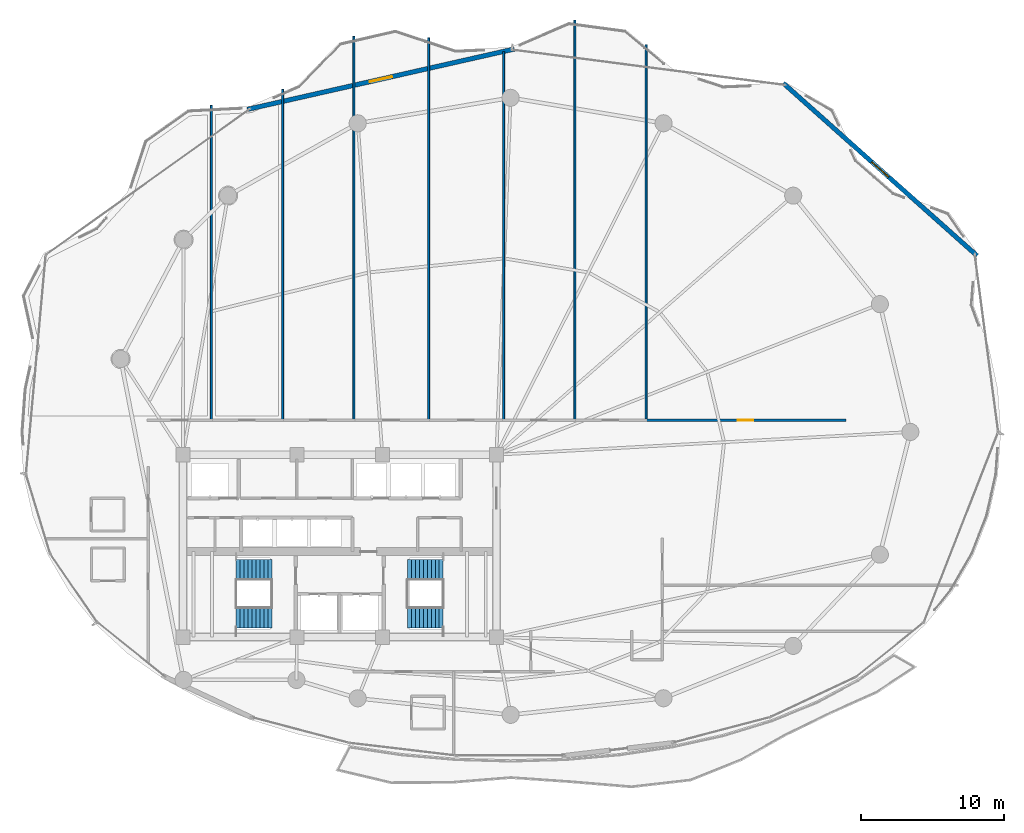
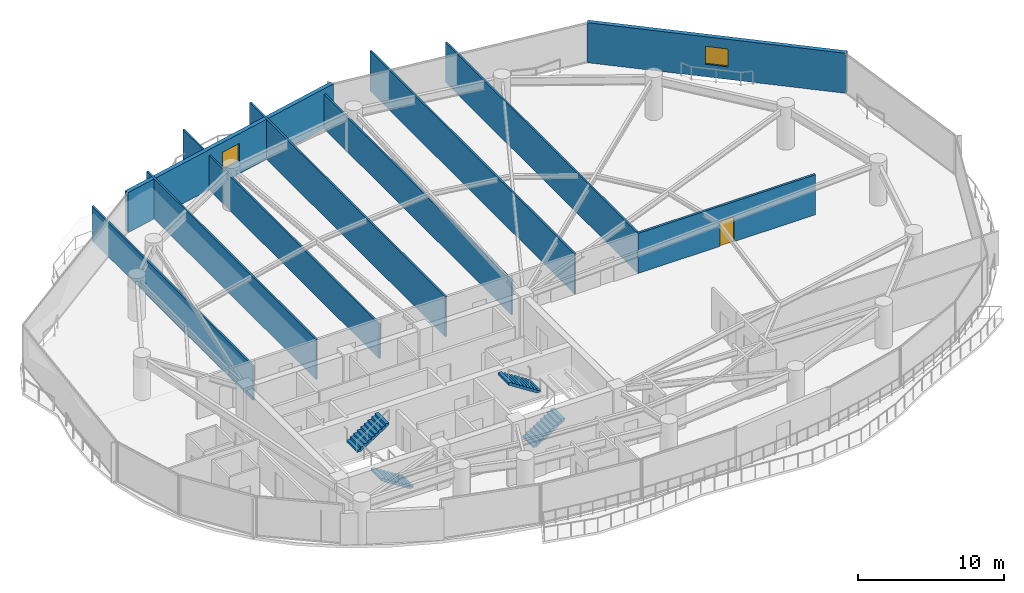
# One storey, part 28 of 33: 10 walls, 4 stair flights, 2 windows, 1 door, 3 openings, 2 elements without a shape of their own.
"""IFC4 building model written with IfcOpenShell, lengths in metres."""

from ifc_helpers import new_model, si_unit, direction, frame, frame_2d, origin, place, context, subcontext, project, spatial, polyline, rectangle, outline, extrude, material, layer, layer_set, type_object, element, fill, aggregate, save


model = new_model("IFC4")

# Units and contexts
model_context = context("Model", 3, precision=1e-05, world=origin(), true_north=direction((0.0, 1.0)))
body_context = subcontext(model_context, "Body", "Model", "MODEL_VIEW")
ifc_project = project(units=[si_unit("LENGTHUNIT", "METRE"), si_unit("AREAUNIT", "SQUARE_METRE"), si_unit("VOLUMEUNIT", "CUBIC_METRE"), si_unit("PLANEANGLEUNIT", "RADIAN"), si_unit("MASSUNIT", "GRAM", prefix="KILO")], contexts=[model_context])

# Site, building, storey
site_placement = place(None, origin())
site = spatial("IfcSite", under=ifc_project, at=site_placement, CompositionType="ELEMENT")
building_placement = place(site_placement, origin())
building = spatial("IfcBuilding", under=site, at=building_placement, Name="Kazevale Care Tower and Concert Hall", CompositionType="ELEMENT")
storey_placement = place(building_placement, frame((0.0, 0.0, 149.39990234375)))
storey = spatial("IfcBuildingStorey", under=building, at=storey_placement, Name="L39", CompositionType="ELEMENT", Elevation=149.39990234375)

# Walls
ifc_material_1 = material(Name="Acoustic Gypsum on Steel Stud", Category="steel")
ifc_layer_1 = layer(ifc_material_1, 0.139892578125)
ifc_layer_set_1 = layer_set([ifc_layer_1], Name="Acoustic Gypsum on Steel Stud")
wall_type_1 = type_object("IfcWallType", Name="Acoustic Care & Suite Partition 140", PredefinedType="PARTITIONING", material=ifc_layer_set_1)
wall_1_placement = place(storey_placement, frame((24.0, 60.9208984375, 0.0), z_axis=(0.0, 0.0, 1.0), x_axis=(0.0, -1.0, 0.0)))
element("IfcWall", 1, at=wall_1_placement, inside=storey, type_object=wall_type_1, Name="wall:L39:auto_019", PredefinedType="PARTITIONING", context=body_context, shape_type="SweptSolid", body=[
    extrude(rectangle(XDim=22.1259765625, YDim=0.139892578125, at=frame_2d((11.06298828125, 0.0))), origin(), (0.0, 0.0, 1.0), 2.89013671875),
])
wall_2_placement = place(storey_placement, frame((29.0, 62.0439453125, 0.0), z_axis=(0.0, 0.0, 1.0), x_axis=(0.0, -1.0, 0.0)))
element("IfcWall", 2, at=wall_2_placement, inside=storey, type_object=wall_type_1, Name="wall:L39:auto_020", PredefinedType="PARTITIONING", context=body_context, shape_type="SweptSolid", body=[
    extrude(rectangle(XDim=23.2490234375, YDim=0.139892578125, at=frame_2d((11.62451171875, 0.0))), origin(), (0.0, 0.0, 1.0), 3.360107421875),
])
wall_3_placement = place(storey_placement, frame((34.0, 65.7509765625, 0.0), z_axis=(0.0, 0.0, 1.0), x_axis=(0.0, -1.0, 0.0)))
element("IfcWall", 3, at=wall_3_placement, inside=storey, type_object=wall_type_1, Name="wall:L39:auto_021", PredefinedType="PARTITIONING", context=body_context, shape_type="SweptSolid", body=[
    extrude(rectangle(XDim=26.9560546875, YDim=0.139892578125, at=frame_2d((13.47802734375, 0.0))), origin(), (0.0, 0.0, 1.0), 2.89013671875),
])
wall_4_placement = place(storey_placement, frame((39.25, 65.64501953125, 0.0), z_axis=(0.0, 0.0, 1.0), x_axis=(0.0, -1.0, 0.0)))
element("IfcWall", 4, at=wall_4_placement, inside=storey, type_object=wall_type_1, Name="wall:L39:auto_022", PredefinedType="PARTITIONING", context=body_context, shape_type="SweptSolid", body=[
    extrude(rectangle(XDim=26.85009765625, YDim=0.139892578125, at=frame_2d((13.425048828125, 0.0))), origin(), (0.0, 0.0, 1.0), 3.360107421875),
])
wall_5_placement = place(storey_placement, frame((44.5, 64.68994140625, 0.0), z_axis=(0.0, 0.0, 1.0), x_axis=(0.0, -1.0, 0.0)))
element("IfcWall", 5, at=wall_5_placement, inside=storey, type_object=wall_type_1, Name="wall:L39:auto_023", PredefinedType="PARTITIONING", context=body_context, shape_type="SweptSolid", body=[
    extrude(rectangle(XDim=25.89501953125, YDim=0.139892578125, at=frame_2d((12.947509765625, 0.0))), origin(), (0.0, 0.0, 1.0), 2.89013671875),
])
wall_6_placement = place(storey_placement, frame((49.5, 66.907958984375, 0.0), z_axis=(0.0, 0.0, 1.0), x_axis=(0.0, -1.0, 0.0)))
element("IfcWall", 6, at=wall_6_placement, inside=storey, type_object=wall_type_1, Name="wall:L39:auto_024", PredefinedType="PARTITIONING", context=body_context, shape_type="SweptSolid", body=[
    extrude(rectangle(XDim=28.113037109375, YDim=0.139892578125, at=frame_2d((14.056640625, 0.0))), origin(), (0.0, 0.0, 1.0), 3.360107421875),
])
wall_7_placement = place(storey_placement, frame((54.5, 65.18798828125, 0.0), z_axis=(0.0, 0.0, 1.0), x_axis=(0.0, -1.0, 0.0)))
element("IfcWall", 7, at=wall_7_placement, inside=storey, type_object=wall_type_1, Name="wall:L39:auto_025", PredefinedType="PARTITIONING", context=body_context, shape_type="SweptSolid", body=[
    extrude(rectangle(XDim=26.39306640625, YDim=0.139892578125, at=frame_2d((13.196533203125, 0.0))), origin(), (0.0, 0.0, 1.0), 3.360107421875),
])

# Wall, opening, door
ifc_material_2 = material(Name="Concrete C40 and Acoustic Gypsum", Category="concrete")
ifc_layer_2 = layer(ifc_material_2, 0.179931640625)
ifc_layer_set_2 = layer_set([ifc_layer_2], Name="Concrete C40 and Acoustic Gypsum")
wall_type_2 = type_object("IfcWallType", Name="Fire-Rated Corridor & Party Wall 180", PredefinedType="PARTITIONING", material=ifc_layer_set_2)
wall_8_placement = place(storey_placement, frame((54.43505859375, 38.824951171875, 0.0), z_axis=(0.0, 0.0, 1.0), x_axis=(1.0, 0.0, 0.0)))
wall_8 = element("IfcWall", 8, at=wall_8_placement, inside=storey, type_object=wall_type_2, Name="wall:L39:auto_008", PredefinedType="PARTITIONING", context=body_context, shape_type="SweptSolid", body=[
    extrude(rectangle(XDim=14.094970703125, YDim=0.179931640625, at=frame_2d((7.04736328125, 0.0))), origin(), (0.0, 0.0, 1.0), 3.360107421875),
])
opening_1_placement = place(wall_8_placement, frame((6.498046875, 0.0, 0.0)))
opening_1 = element("IfcOpeningElement", 9, at=opening_1_placement, cuts=wall_8, Name="Opening ID-1100", PredefinedType="OPENING", context=body_context, shape_type="SweptSolid", body=[
    extrude(rectangle(XDim=1.10009765625, YDim=2.10009765625, at=frame_2d((0.550048828125, 1.050048828125))), frame((0.0, 0.099853515625, 0.0), z_axis=(0.0, -1.0, 0.0), x_axis=(1.0, 0.0, 0.0)), (0.0, 0.0, 1.0), 0.199951171875),
])
ifc_material_3 = material(Name="Oak Timber Fire Leaf", Category="wood")
door_type = type_object("IfcDoorType", Name="Care Bedroom Accessible Door 1100x2100", OperationType="NOTDEFINED", PredefinedType="DOOR", material=ifc_material_3)
door_placement = place(opening_1_placement, origin())
door = element("IfcDoor", 10, at=door_placement, inside=storey, type_object=door_type, Name="door:L39:ad_008", OperationType="SINGLE_SWING_LEFT", OverallHeight=2.10009765625, OverallWidth=1.10009765625, PredefinedType="DOOR", context=body_context, shape_type="SweptSolid", body=[
    extrude(rectangle(XDim=1.10009765625, YDim=2.10009765625, at=frame_2d((0.550048828125, 1.050048828125))), frame((0.0, 0.02490234375, 0.0), z_axis=(0.0, -1.0, 0.0), x_axis=(1.0, 0.0, 0.0)), (0.0, 0.0, 1.0), 0.050048828125),
])
fill(opening_1, door)

# Wall, opening, window
ifc_material_4 = material(Name="Concrete C40 with Honed Limestone Cladding", Category="masonry")
ifc_layer_3 = layer(ifc_material_4, 0.320068359375)
ifc_layer_set_3 = layer_set([ifc_layer_3], Name="Concrete C40 with Honed Limestone Cladding")
wall_type_3 = type_object("IfcWallType", Name="Tower Honed Limestone Spandrel Wall 320", PredefinedType="STANDARD", material=ifc_layer_set_3)
wall_9_placement = place(storey_placement, frame((26.52490234375, 60.635009765625, 0.0), z_axis=(0.0, 0.0, 1.0), x_axis=(0.975368700272, 0.220580820855, 0.0)))
wall_9 = element("IfcWall", 11, at=wall_9_placement, inside=storey, type_object=wall_type_3, Name="wall:L39:cbox:15", PredefinedType="STANDARD", context=body_context, shape_type="SweptSolid", body=[
    extrude(rectangle(XDim=19.204345703125, YDim=0.320068359375, at=frame_2d((9.60205078125, 0.0))), origin(), (0.0, 0.0, 1.0), 3.360107421875),
])
opening_2_placement = place(wall_9_placement, frame((8.801025390625, 0.0, 1.050048828125)))
opening_2 = element("IfcOpeningElement", 12, at=opening_2_placement, cuts=wall_9, Name="Opening WIN-1", PredefinedType="OPENING", context=body_context, shape_type="SweptSolid", body=[
    extrude(rectangle(XDim=1.60009765625, YDim=1.5, at=frame_2d((0.800048828125, 0.75))), frame((0.0, 0.169921875, 0.0), z_axis=(0.0, -1.0, 0.0), x_axis=(1.0, 0.0, 0.0)), (0.0, 0.0, 1.0), 0.340087890625),
])
ifc_material_5 = material(Name="Low-E Laminated Glass", Category="glass")
window_type = type_object("IfcWindowType", Name="Convex Box Deep-Set Window 1600x1500", PartitioningType="DOUBLE_PANEL_VERTICAL", PredefinedType="WINDOW", material=ifc_material_5)
window_1_placement = place(opening_2_placement, origin())
window_1 = element("IfcWindow", 13, at=window_1_placement, inside=storey, type_object=window_type, Name="win:L39:cbox:15", OverallHeight=1.5, OverallWidth=1.60009765625, PartitioningType="SINGLE_PANEL", PredefinedType="WINDOW", context=body_context, shape_type="SweptSolid", body=[
    extrude(rectangle(XDim=1.60009765625, YDim=1.5, at=frame_2d((0.800048828125, 0.75))), frame((0.0, 0.030029296875, 0.0), z_axis=(0.0, -1.0, 0.0), x_axis=(1.0, 0.0, 0.0)), (0.0, 0.0, 1.0), 0.06005859375),
])
fill(opening_2, window_1)

wall_10_placement = place(storey_placement, frame((64.132080078125, 62.47705078125, 0.0), z_axis=(0.0, 0.0, 1.0), x_axis=(0.746726187299, -0.665131566836, 0.0)))
wall_10 = element("IfcWall", 14, at=wall_10_placement, inside=storey, type_object=wall_type_3, Name="wall:L39:cbox:17", PredefinedType="STANDARD", context=body_context, shape_type="SweptSolid", body=[
    extrude(rectangle(XDim=18.2099609375, YDim=0.320068359375, at=frame_2d((9.10498046875, 0.0))), origin(), (0.0, 0.0, 1.0), 3.360107421875),
])
opening_3_placement = place(wall_10_placement, frame((8.304931640625, 0.0, 1.050048828125)))
opening_3 = element("IfcOpeningElement", 15, at=opening_3_placement, cuts=wall_10, Name="Opening WIN-1", PredefinedType="OPENING", context=body_context, shape_type="SweptSolid", body=[
    extrude(rectangle(XDim=1.60009765625, YDim=1.5, at=frame_2d((0.800048828125, 0.75))), frame((0.0, 0.169921875, 0.0), z_axis=(0.0, -1.0, 0.0), x_axis=(1.0, 0.0, 0.0)), (0.0, 0.0, 1.0), 0.340087890625),
])
window_2_placement = place(opening_3_placement, origin())
window_2 = element("IfcWindow", 16, at=window_2_placement, inside=storey, type_object=window_type, Name="win:L39:cbox:17", OverallHeight=1.5, OverallWidth=1.60009765625, PartitioningType="SINGLE_PANEL", PredefinedType="WINDOW", context=body_context, shape_type="SweptSolid", body=[
    extrude(rectangle(XDim=1.60009765625, YDim=1.5, at=frame_2d((0.800048828125, 0.75))), frame((0.0, 0.030029296875, 0.0), z_axis=(0.0, -1.0, 0.0), x_axis=(1.0, 0.0, 0.0)), (0.0, 0.0, 1.0), 0.06005859375),
])
fill(opening_3, window_2)

# Stair, stair flights
ifc_material_6 = material(Name="Concrete C40", Category="concrete")
stair_type = type_object("IfcStairType", Name="Exit Stair Assembly ST1-Z2", PredefinedType="HALF_TURN_STAIR", material=ifc_material_6)
stair_1_placement = place(storey_placement, origin())
stair_1 = element("IfcStair", 17, at=stair_1_placement, inside=storey, type_object=stair_type, Name="stair:L39:ST1", PredefinedType="HALF_TURN_STAIR")
ifc_layer_4 = layer(ifc_material_6, 0.159912109375)
ifc_layer_set_4 = layer_set([ifc_layer_4], Name="Concrete C40")
stair_flight_type = type_object("IfcStairFlightType", Name="Exit Stair Flight ST1-Z2", PredefinedType="STRAIGHT", material=ifc_layer_set_4)
stair_flight_1_placement = place(storey_placement, frame((28.25, 24.97998046875, 0.0), z_axis=(0.0, 0.0, 1.0), x_axis=(-1.0, 0.0, 0.0)))
stair_flight_1 = element("IfcStairFlight", 18, at=stair_flight_1_placement, type_object=stair_flight_type, Name="ST1-Z2 flight 1", NumberOfRisers=10, NumberOfTreads=9, PredefinedType="STRAIGHT", RiserHeight=0.18, TreadLength=0.28, context=body_context, shape_type="SweptSolid", body=[
    extrude(outline(polyline([(0.0, 0.0), (0.0, 0.179931640625), (0.280029296875, 0.179931640625), (0.280029296875, 0.360107421875), (0.56005859375, 0.360107421875), (0.56005859375, 0.5400390625), (0.840087890625, 0.5400390625), (0.840087890625, 0.719970703125), (1.1201171875, 0.719970703125), (1.1201171875, 0.89990234375), (1.39990234375, 0.89990234375), (1.39990234375, 1.080078125), (1.679931640625, 1.080078125), (1.679931640625, 1.260009765625), (1.9599609375, 1.260009765625), (1.9599609375, 1.43994140625), (2.239990234375, 1.43994140625), (2.239990234375, 1.6201171875), (2.52001953125, 1.6201171875), (2.52001953125, 1.800048828125), (2.52001953125, 1.429931640625), (0.295654296875, 0.0), (0.0, 0.0)])), frame((0.0, 0.72998046875, 0.0), z_axis=(0.0, -1.0, 0.0), x_axis=(1.0, 0.0, 0.0)), (0.0, 0.0, 1.0), 1.4599609375),
])
stair_flight_2_placement = place(storey_placement, frame((25.72998046875, 28.320068359375, 1.800048828125), z_axis=(0.0, 0.0, 1.0), x_axis=(1.0, 0.0, 0.0)))
stair_flight_2 = element("IfcStairFlight", 19, at=stair_flight_2_placement, type_object=stair_flight_type, Name="ST1-Z2 flight 2", NumberOfRisers=10, NumberOfTreads=9, PredefinedType="STRAIGHT", RiserHeight=0.18, TreadLength=0.28, context=body_context, shape_type="SweptSolid", body=[
    extrude(outline(polyline([(0.0, 0.0), (0.0, 0.179931640625), (0.280029296875, 0.179931640625), (0.280029296875, 0.360107421875), (0.56005859375, 0.360107421875), (0.56005859375, 0.5400390625), (0.840087890625, 0.5400390625), (0.840087890625, 0.719970703125), (1.1201171875, 0.719970703125), (1.1201171875, 0.89990234375), (1.39990234375, 0.89990234375), (1.39990234375, 1.080078125), (1.679931640625, 1.080078125), (1.679931640625, 1.260009765625), (1.9599609375, 1.260009765625), (1.9599609375, 1.43994140625), (2.239990234375, 1.43994140625), (2.239990234375, 1.6201171875), (2.52001953125, 1.6201171875), (2.52001953125, 1.800048828125), (2.52001953125, 1.429931640625), (0.295654296875, 0.0), (0.0, 0.0)])), frame((0.0, 0.72998046875, 0.0), z_axis=(0.0, -1.0, 0.0), x_axis=(1.0, 0.0, 0.0)), (0.0, 0.0, 1.0), 1.4599609375),
])
aggregate(stair_1, [stair_flight_1, stair_flight_2])

stair_2_placement = place(storey_placement, origin())
stair_2 = element("IfcStair", 20, at=stair_2_placement, inside=storey, type_object=stair_type, Name="stair:L39:ST2", PredefinedType="HALF_TURN_STAIR")
stair_flight_3_placement = place(storey_placement, frame((37.75, 24.97998046875, 0.0), z_axis=(0.0, 0.0, 1.0), x_axis=(1.0, 0.0, 0.0)))
stair_flight_3 = element("IfcStairFlight", 21, at=stair_flight_3_placement, type_object=stair_flight_type, Name="ST1-Z2 flight 1", NumberOfRisers=10, NumberOfTreads=9, PredefinedType="STRAIGHT", RiserHeight=0.18, TreadLength=0.28, context=body_context, shape_type="SweptSolid", body=[
    extrude(outline(polyline([(0.0, 0.0), (0.0, 0.179931640625), (0.280029296875, 0.179931640625), (0.280029296875, 0.360107421875), (0.56005859375, 0.360107421875), (0.56005859375, 0.5400390625), (0.840087890625, 0.5400390625), (0.840087890625, 0.719970703125), (1.1201171875, 0.719970703125), (1.1201171875, 0.89990234375), (1.39990234375, 0.89990234375), (1.39990234375, 1.080078125), (1.679931640625, 1.080078125), (1.679931640625, 1.260009765625), (1.9599609375, 1.260009765625), (1.9599609375, 1.43994140625), (2.239990234375, 1.43994140625), (2.239990234375, 1.6201171875), (2.52001953125, 1.6201171875), (2.52001953125, 1.800048828125), (2.52001953125, 1.429931640625), (0.295654296875, 0.0), (0.0, 0.0)])), frame((0.0, 0.72998046875, 0.0), z_axis=(0.0, -1.0, 0.0), x_axis=(1.0, 0.0, 0.0)), (0.0, 0.0, 1.0), 1.4599609375),
])
stair_flight_4_placement = place(storey_placement, frame((40.27001953125, 28.320068359375, 1.800048828125), z_axis=(0.0, 0.0, 1.0), x_axis=(-1.0, 0.0, 0.0)))
stair_flight_4 = element("IfcStairFlight", 22, at=stair_flight_4_placement, type_object=stair_flight_type, Name="ST1-Z2 flight 2", NumberOfRisers=10, NumberOfTreads=9, PredefinedType="STRAIGHT", RiserHeight=0.18, TreadLength=0.28, context=body_context, shape_type="SweptSolid", body=[
    extrude(outline(polyline([(0.0, 0.0), (0.0, 0.179931640625), (0.280029296875, 0.179931640625), (0.280029296875, 0.360107421875), (0.56005859375, 0.360107421875), (0.56005859375, 0.5400390625), (0.840087890625, 0.5400390625), (0.840087890625, 0.719970703125), (1.1201171875, 0.719970703125), (1.1201171875, 0.89990234375), (1.39990234375, 0.89990234375), (1.39990234375, 1.080078125), (1.679931640625, 1.080078125), (1.679931640625, 1.260009765625), (1.9599609375, 1.260009765625), (1.9599609375, 1.43994140625), (2.239990234375, 1.43994140625), (2.239990234375, 1.6201171875), (2.52001953125, 1.6201171875), (2.52001953125, 1.800048828125), (2.52001953125, 1.429931640625), (0.295654296875, 0.0), (0.0, 0.0)])), frame((0.0, 0.72998046875, 0.0), z_axis=(0.0, -1.0, 0.0), x_axis=(1.0, 0.0, 0.0)), (0.0, 0.0, 1.0), 1.4599609375),
])
aggregate(stair_2, [stair_flight_3, stair_flight_4])

save(model, "model.ifc")
